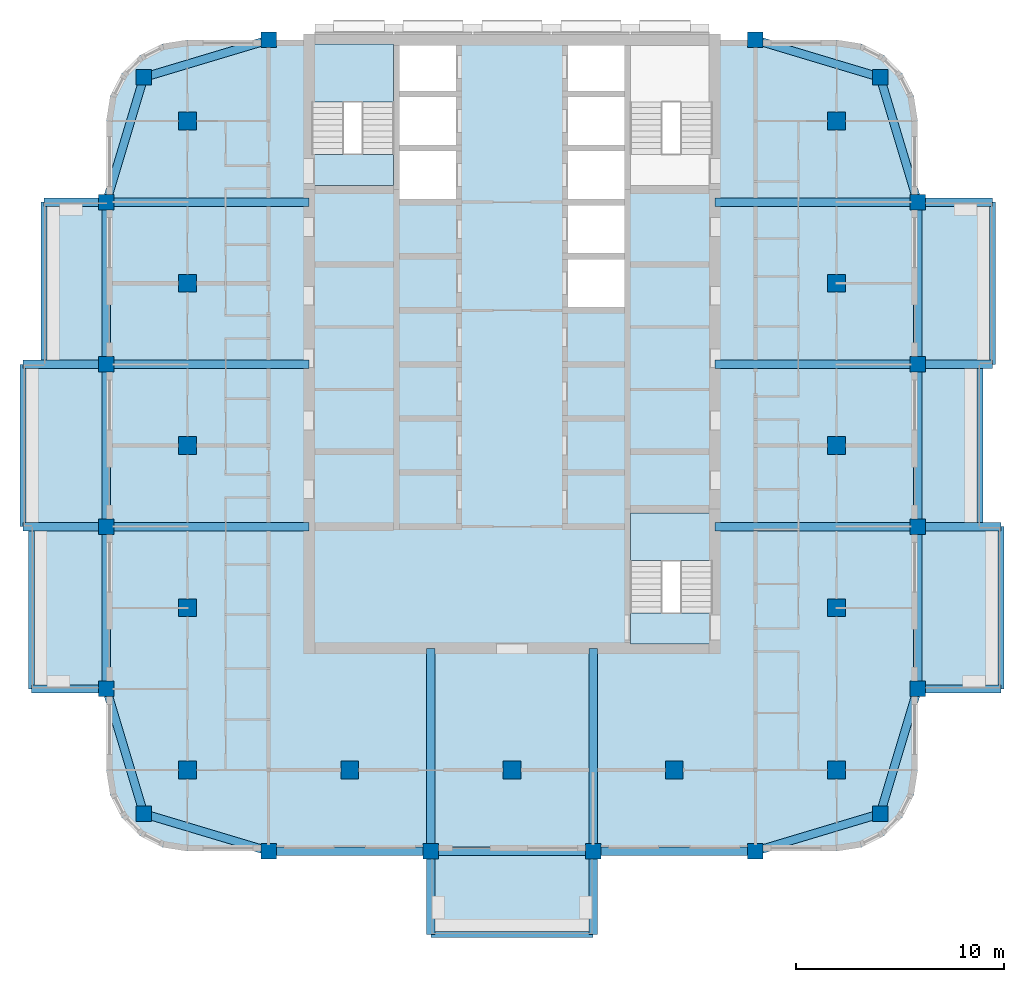
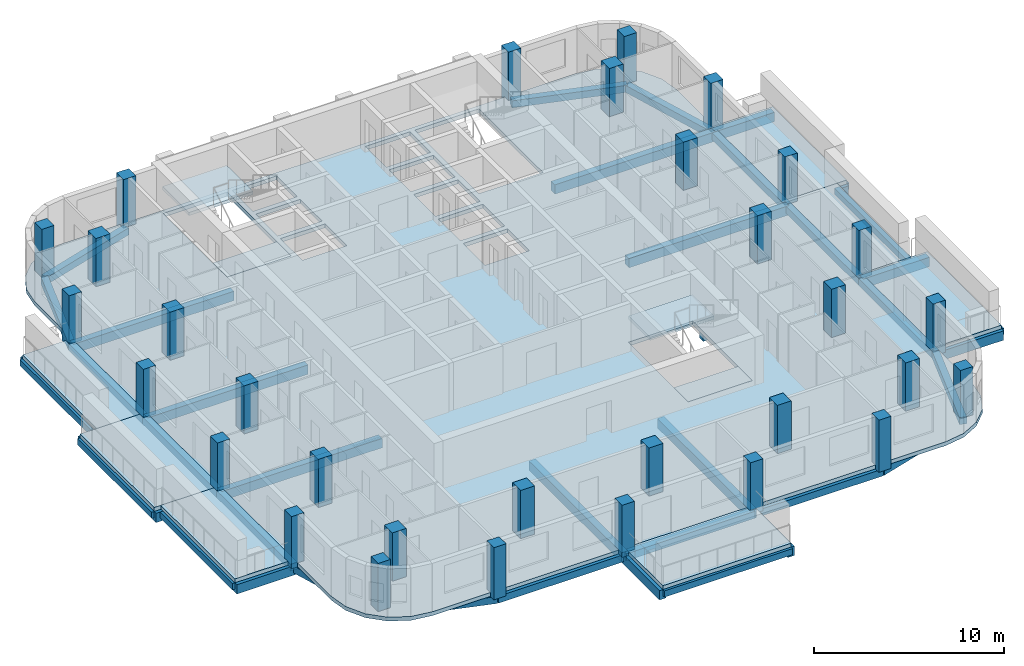
# One storey, part 1 of 13: 42 beams, 31 columns, 12 slabs, 2 elements without a shape of their own.
"""IFC4 building model written with IfcOpenShell, lengths in metres."""

from ifc_helpers import new_model, si_unit, direction, frame, origin, origin_2d, place, context, subcontext, project, spatial, polyline, rectangle, outline, extrude, material, layer, layer_set, material_profile, profile_set, type_object, element, aggregate, save


model = new_model("IFC4")

# Units and contexts
model_context = context("Model", 3, precision=1e-05, world=origin(), true_north=direction((0.0, 1.0)))
body_context = subcontext(model_context, "Body", "Model", "MODEL_VIEW")
ifc_project = project(units=[si_unit("LENGTHUNIT", "METRE"), si_unit("AREAUNIT", "SQUARE_METRE"), si_unit("VOLUMEUNIT", "CUBIC_METRE"), si_unit("PLANEANGLEUNIT", "RADIAN"), si_unit("MASSUNIT", "GRAM", prefix="KILO")], contexts=[model_context])

# Site, building, storey
site_placement = place(None, origin())
site = spatial("IfcSite", under=ifc_project, at=site_placement, CompositionType="ELEMENT")
building_placement = place(site_placement, origin())
building = spatial("IfcBuilding", under=site, at=building_placement, Name="Ludao Terraces", CompositionType="ELEMENT")
storey_placement = place(building_placement, frame((0.0, 0.0, 169.0)))
storey = spatial("IfcBuildingStorey", under=building, at=storey_placement, Name="L46", CompositionType="ELEMENT", Elevation=169.0)

# Columns
ifc_material_1 = material(Name="Concrete C45", Category="concrete")
ifc_material_profile_1 = material_profile(ifc_material_1, rectangle(XDim=0.75, YDim=0.75, at=origin_2d()), Name="750 X 750")
ifc_profile_set_1 = profile_set([ifc_material_profile_1], Name="Concrete C45")
column_type_1 = type_object("IfcColumnType", Name="RC column 750x750 C45", PredefinedType="COLUMN", material=ifc_profile_set_1)
for number, where, z_axis, x_axis, name in (
    (1, (67.300048828125, 47.300048828125, -0.25), (0.0, 0.0, 1.0), (1.0, 0.0, 0.0), "Column L46 C0057x0057"),
    (2, (102.699951171875, 47.300048828125, -0.25), (0.0, 0.0, 1.0), (1.0, 0.0, 0.0), "Column L46 C0411x0057"),
    (3, (67.300048828125, 82.699951171875, -0.25), (0.0, 0.0, 1.0), (1.0, 0.0, 0.0), "Column L46 C0057x0411"),
    (4, (102.699951171875, 82.699951171875, -0.25), (0.0, 0.0, 1.0), (1.0, 0.0, 0.0), "Column L46 C0411x0411"),
    (5, (65.5, 53.300048828125, -0.25), (0.0, 0.0, 1.0), (1.0, 0.0, 0.0), "Column L46 W0039x0117"),
    (6, (104.5, 53.300048828125, -0.25), (0.0, 0.0, 1.0), (1.0, 0.0, 0.0), "Column L46 W0429x0117"),
    (7, (73.300048828125, 45.5, -0.25), (0.0, 0.0, 1.0), (1.0, 0.0, 0.0), "Column L46 W0117x0039"),
    (8, (73.300048828125, 84.5, -0.25), (0.0, 0.0, 1.0), (1.0, 0.0, 0.0), "Column L46 W0117x0429"),
    (9, (65.5, 61.10009765625, -0.25), (0.0, 0.0, 1.0), (1.0, 0.0, 0.0), "Column L46 W0039x0195"),
    (10, (104.5, 61.10009765625, -0.25), (0.0, 0.0, 1.0), (1.0, 0.0, 0.0), "Column L46 W0429x0195"),
    (11, (81.10009765625, 45.5, -0.25), (0.0, 0.0, 1.0), (1.0, 0.0, 0.0), "Column L46 W0195x0039"),
    (12, (65.5, 68.89990234375, -0.25), (0.0, 0.0, 1.0), (1.0, 0.0, 0.0), "Column L46 W0039x0273"),
    (13, (104.5, 68.89990234375, -0.25), (0.0, 0.0, 1.0), (1.0, 0.0, 0.0), "Column L46 W0429x0273"),
    (14, (88.89990234375, 45.5, -0.25), (0.0, 0.0, 1.0), (1.0, 0.0, 0.0), "Column L46 W0273x0039"),
    (15, (65.5, 76.699951171875, -0.25), (0.0, 0.0, 1.0), (1.0, 0.0, 0.0), "Column L46 W0039x0351"),
    (16, (104.5, 76.699951171875, -0.25), (0.0, 0.0, 1.0), (1.0, 0.0, 0.0), "Column L46 W0429x0351"),
    (17, (96.699951171875, 45.5, -0.25), (0.0, 0.0, 1.0), (1.0, 0.0, 0.0), "Column L46 W0351x0039"),
    (18, (96.699951171875, 84.5, -0.25), (0.0, 0.0, 1.0), (1.0, 0.0, 0.0), "Column L46 W0351x0429"),
):
    element("IfcColumn", number, at=place(storey_placement, frame(where, z_axis=z_axis, x_axis=x_axis)), inside=storey, type_object=column_type_1, Name=name, PredefinedType="COLUMN", context=body_context, shape_type="SweptSolid", body=[
        extrude(rectangle(XDim=0.75, YDim=0.75, at=origin_2d()), origin(), (0.0, 0.0, 1.0), 3.35009765625),
    ])
ifc_material_profile_2 = material_profile(ifc_material_1, rectangle(XDim=0.85009765625, YDim=0.85009765625, at=origin_2d()), Name="850 X 850")
ifc_profile_set_2 = profile_set([ifc_material_profile_2], Name="Concrete C45")
column_type_2 = type_object("IfcColumnType", Name="RC column 850x850 C45", PredefinedType="COLUMN", material=ifc_profile_set_2)
for number, where, z_axis, x_axis, name in (
    (19, (69.39990234375, 49.39990234375, -0.25), (0.0, 0.0, 1.0), (1.0, 0.0, 0.0), "Column L46 S0078x0078"),
    (20, (69.39990234375, 57.199951171875, -0.25), (0.0, 0.0, 1.0), (1.0, 0.0, 0.0), "Column L46 S0078x0156"),
    (21, (69.39990234375, 65.0, -0.25), (0.0, 0.0, 1.0), (1.0, 0.0, 0.0), "Column L46 S0078x0234"),
    (22, (69.39990234375, 72.800048828125, -0.25), (0.0, 0.0, 1.0), (1.0, 0.0, 0.0), "Column L46 S0078x0312"),
    (23, (69.39990234375, 80.60009765625, -0.25), (0.0, 0.0, 1.0), (1.0, 0.0, 0.0), "Column L46 S0078x0390"),
    (24, (77.199951171875, 49.39990234375, -0.25), (0.0, 0.0, 1.0), (1.0, 0.0, 0.0), "Column L46 S0156x0078"),
    (25, (85.0, 49.39990234375, -0.25), (0.0, 0.0, 1.0), (1.0, 0.0, 0.0), "Column L46 S0234x0078"),
    (26, (92.800048828125, 49.39990234375, -0.25), (0.0, 0.0, 1.0), (1.0, 0.0, 0.0), "Column L46 S0312x0078"),
    (27, (100.60009765625, 49.39990234375, -0.25), (0.0, 0.0, 1.0), (1.0, 0.0, 0.0), "Column L46 S0390x0078"),
    (28, (100.60009765625, 57.199951171875, -0.25), (0.0, 0.0, 1.0), (1.0, 0.0, 0.0), "Column L46 S0390x0156"),
    (29, (100.60009765625, 65.0, -0.25), (0.0, 0.0, 1.0), (1.0, 0.0, 0.0), "Column L46 S0390x0234"),
    (30, (100.60009765625, 72.800048828125, -0.25), (0.0, 0.0, 1.0), (1.0, 0.0, 0.0), "Column L46 S0390x0312"),
    (31, (100.60009765625, 80.60009765625, -0.25), (0.0, 0.0, 1.0), (1.0, 0.0, 0.0), "Column L46 S0390x0390"),
):
    element("IfcColumn", number, at=place(storey_placement, frame(where, z_axis=z_axis, x_axis=x_axis)), inside=storey, type_object=column_type_2, Name=name, PredefinedType="COLUMN", context=body_context, shape_type="SweptSolid", body=[
        extrude(rectangle(XDim=0.85009765625, YDim=0.85009765625, at=origin_2d()), origin(), (0.0, 0.0, 1.0), 3.35009765625),
    ])

# Beams
ifc_material_2 = material(Name="Concrete C40", Category="concrete")
ifc_material_profile_3 = material_profile(ifc_material_2, rectangle(XDim=0.300048828125, YDim=0.39990234375, at=origin_2d()), Name="300 X 400")
ifc_profile_set_3 = profile_set([ifc_material_profile_3], Name="Concrete C40")
beam_type_1 = type_object("IfcBeamType", Name="RC beam 300x400 C40", PredefinedType="BEAM", material=ifc_profile_set_3)
beam_1_placement = place(storey_placement, frame((81.10009765625, 41.5, -0.449951171875), z_axis=(1.0, 0.0, 0.0), x_axis=(0.0, 1.0, 0.0)))
element("IfcBeam", 32, at=beam_1_placement, inside=storey, type_object=beam_type_1, Name="Balcony edge beam L46 S1", PredefinedType="BEAM", context=body_context, shape_type="SweptSolid", body=[
    extrude(rectangle(XDim=0.300048828125, YDim=0.39990234375, at=origin_2d()), origin(), (0.0, 0.0, 1.0), 7.7998046875),
])
beam_2_placement = place(storey_placement, frame((108.5, 53.300048828125, -0.449951171875), z_axis=(0.0, 1.0, 0.0), x_axis=(-1.0, 0.0, 0.0)))
element("IfcBeam", 33, at=beam_2_placement, inside=storey, type_object=beam_type_1, Name="Balcony edge beam L46 E1", PredefinedType="BEAM", context=body_context, shape_type="SweptSolid", body=[
    extrude(rectangle(XDim=0.300048828125, YDim=0.39990234375, at=origin_2d()), origin(), (0.0, 0.0, 1.0), 7.800048828125),
])
beam_3_placement = place(storey_placement, frame((107.5, 61.10009765625, -0.449951171875), z_axis=(0.0, 1.0, 0.0), x_axis=(-1.0, 0.0, 0.0)))
element("IfcBeam", 34, at=beam_3_placement, inside=storey, type_object=beam_type_1, Name="Balcony edge beam L46 E2", PredefinedType="BEAM", context=body_context, shape_type="SweptSolid", body=[
    extrude(rectangle(XDim=0.300048828125, YDim=0.39990234375, at=origin_2d()), origin(), (0.0, 0.0, 1.0), 7.7998046875),
])
for number, where, z_axis, x_axis, name in (
    (35, (108.10009765625, 68.89990234375, -0.449951171875), (0.0, 1.0, 0.0), (-1.0, 0.0, 0.0), "Balcony edge beam L46 E3"),
    (36, (61.89990234375, 53.300048828125, -0.449951171875), (0.0, 1.0, 0.0), (-1.0, 0.0, 0.0), "Balcony edge beam L46 W1"),
):
    element("IfcBeam", number, at=place(storey_placement, frame(where, z_axis=z_axis, x_axis=x_axis)), inside=storey, type_object=beam_type_1, Name=name, PredefinedType="BEAM", context=body_context, shape_type="SweptSolid", body=[
        extrude(rectangle(XDim=0.300048828125, YDim=0.39990234375, at=origin_2d()), origin(), (0.0, 0.0, 1.0), 7.800048828125),
    ])
beam_4_placement = place(storey_placement, frame((61.5, 61.10009765625, -0.449951171875), z_axis=(0.0, 1.0, 0.0), x_axis=(-1.0, 0.0, 0.0)))
element("IfcBeam", 37, at=beam_4_placement, inside=storey, type_object=beam_type_1, Name="Balcony edge beam L46 W2", PredefinedType="BEAM", context=body_context, shape_type="SweptSolid", body=[
    extrude(rectangle(XDim=0.300048828125, YDim=0.39990234375, at=origin_2d()), origin(), (0.0, 0.0, 1.0), 7.7998046875),
])
beam_5_placement = place(storey_placement, frame((62.5, 68.89990234375, -0.449951171875), z_axis=(0.0, 1.0, 0.0), x_axis=(-1.0, 0.0, 0.0)))
element("IfcBeam", 38, at=beam_5_placement, inside=storey, type_object=beam_type_1, Name="Balcony edge beam L46 W3", PredefinedType="BEAM", context=body_context, shape_type="SweptSolid", body=[
    extrude(rectangle(XDim=0.300048828125, YDim=0.39990234375, at=origin_2d()), origin(), (0.0, 0.0, 1.0), 7.800048828125),
])
ifc_material_profile_4 = material_profile(ifc_material_2, rectangle(XDim=0.39990234375, YDim=0.449951171875, at=origin_2d()), Name="400 X 450")
ifc_profile_set_4 = profile_set([ifc_material_profile_4], Name="Concrete C40")
beam_type_2 = type_object("IfcBeamType", Name="RC beam 400x450 C40", PredefinedType="BEAM", material=ifc_profile_set_4)
beam_6_placement = place(storey_placement, frame((67.300048828125, 47.300048828125, -0.47509765625), z_axis=(0.957824139839, -0.287355036744, 0.0), x_axis=(0.287355036744, 0.957824139839, 0.0)))
element("IfcBeam", 39, at=beam_6_placement, inside=storey, type_object=beam_type_2, Name="Spandrel beam L46 S1", PredefinedType="BEAM", context=body_context, shape_type="SweptSolid", body=[
    extrude(rectangle(XDim=0.39990234375, YDim=0.449951171875, at=origin_2d()), origin(), (0.0, 0.0, 1.0), 6.26416015625),
])
beam_7_placement = place(storey_placement, frame((73.300048828125, 45.5, -0.47509765625), z_axis=(1.0, 0.0, 0.0), x_axis=(0.0, 1.0, 0.0)))
element("IfcBeam", 40, at=beam_7_placement, inside=storey, type_object=beam_type_2, Name="Spandrel beam L46 S2", PredefinedType="BEAM", context=body_context, shape_type="SweptSolid", body=[
    extrude(rectangle(XDim=0.39990234375, YDim=0.449951171875, at=origin_2d()), origin(), (0.0, 0.0, 1.0), 7.800048828125),
])
beam_8_placement = place(storey_placement, frame((81.10009765625, 45.5, -0.47509765625), z_axis=(1.0, 0.0, 0.0), x_axis=(0.0, 1.0, 0.0)))
element("IfcBeam", 41, at=beam_8_placement, inside=storey, type_object=beam_type_2, Name="Spandrel beam L46 S3", PredefinedType="BEAM", context=body_context, shape_type="SweptSolid", body=[
    extrude(rectangle(XDim=0.39990234375, YDim=0.449951171875, at=origin_2d()), origin(), (0.0, 0.0, 1.0), 7.7998046875),
])
beam_9_placement = place(storey_placement, frame((88.89990234375, 45.5, -0.47509765625), z_axis=(1.0, 0.0, 0.0), x_axis=(0.0, 1.0, 0.0)))
element("IfcBeam", 42, at=beam_9_placement, inside=storey, type_object=beam_type_2, Name="Spandrel beam L46 S4", PredefinedType="BEAM", context=body_context, shape_type="SweptSolid", body=[
    extrude(rectangle(XDim=0.39990234375, YDim=0.449951171875, at=origin_2d()), origin(), (0.0, 0.0, 1.0), 7.800048828125),
])
for number, where, z_axis, x_axis, name in (
    (43, (96.699951171875, 45.5, -0.47509765625), (0.957824139839, 0.287355036744, 0.0), (-0.287355036744, 0.957824139839, 0.0), "Spandrel beam L46 S5"),
    (44, (67.300048828125, 82.699951171875, -0.47509765625), (0.957824139839, 0.287355036744, 0.0), (-0.287355036744, 0.957824139839, 0.0), "Spandrel beam L46 N6"),
    (45, (96.699951171875, 84.5, -0.47509765625), (0.957824139839, -0.287355036744, 0.0), (0.287355036744, 0.957824139839, 0.0), "Spandrel beam L46 N7"),
    (46, (67.300048828125, 47.300048828125, -0.47509765625), (-0.287355036744, 0.957824139839, 0.0), (-0.957824139839, -0.287355036744, 0.0), "Spandrel beam L46 W8"),
):
    element("IfcBeam", number, at=place(storey_placement, frame(where, z_axis=z_axis, x_axis=x_axis)), inside=storey, type_object=beam_type_2, Name=name, PredefinedType="BEAM", context=body_context, shape_type="SweptSolid", body=[
        extrude(rectangle(XDim=0.39990234375, YDim=0.449951171875, at=origin_2d()), origin(), (0.0, 0.0, 1.0), 6.26416015625),
    ])
beam_10_placement = place(storey_placement, frame((65.5, 53.300048828125, -0.47509765625), z_axis=(0.0, 1.0, 0.0), x_axis=(-1.0, 0.0, 0.0)))
element("IfcBeam", 47, at=beam_10_placement, inside=storey, type_object=beam_type_2, Name="Spandrel beam L46 W9", PredefinedType="BEAM", context=body_context, shape_type="SweptSolid", body=[
    extrude(rectangle(XDim=0.39990234375, YDim=0.449951171875, at=origin_2d()), origin(), (0.0, 0.0, 1.0), 7.800048828125),
])
beam_11_placement = place(storey_placement, frame((65.5, 61.10009765625, -0.47509765625), z_axis=(0.0, 1.0, 0.0), x_axis=(-1.0, 0.0, 0.0)))
element("IfcBeam", 48, at=beam_11_placement, inside=storey, type_object=beam_type_2, Name="Spandrel beam L46 W10", PredefinedType="BEAM", context=body_context, shape_type="SweptSolid", body=[
    extrude(rectangle(XDim=0.39990234375, YDim=0.449951171875, at=origin_2d()), origin(), (0.0, 0.0, 1.0), 7.7998046875),
])
beam_12_placement = place(storey_placement, frame((65.5, 68.89990234375, -0.47509765625), z_axis=(0.0, 1.0, 0.0), x_axis=(-1.0, 0.0, 0.0)))
element("IfcBeam", 49, at=beam_12_placement, inside=storey, type_object=beam_type_2, Name="Spandrel beam L46 W11", PredefinedType="BEAM", context=body_context, shape_type="SweptSolid", body=[
    extrude(rectangle(XDim=0.39990234375, YDim=0.449951171875, at=origin_2d()), origin(), (0.0, 0.0, 1.0), 7.800048828125),
])
for number, where, z_axis, x_axis, name in (
    (50, (65.5, 76.699951171875, -0.47509765625), (0.287355036744, 0.957824139839, 0.0), (-0.957824139839, 0.287355036744, 0.0), "Spandrel beam L46 W12"),
    (51, (102.699951171875, 47.300048828125, -0.47509765625), (0.287355036744, 0.957824139839, 0.0), (-0.957824139839, 0.287355036744, 0.0), "Spandrel beam L46 E13"),
):
    element("IfcBeam", number, at=place(storey_placement, frame(where, z_axis=z_axis, x_axis=x_axis)), inside=storey, type_object=beam_type_2, Name=name, PredefinedType="BEAM", context=body_context, shape_type="SweptSolid", body=[
        extrude(rectangle(XDim=0.39990234375, YDim=0.449951171875, at=origin_2d()), origin(), (0.0, 0.0, 1.0), 6.26416015625),
    ])
beam_13_placement = place(storey_placement, frame((104.5, 53.300048828125, -0.47509765625), z_axis=(0.0, 1.0, 0.0), x_axis=(-1.0, 0.0, 0.0)))
element("IfcBeam", 52, at=beam_13_placement, inside=storey, type_object=beam_type_2, Name="Spandrel beam L46 E14", PredefinedType="BEAM", context=body_context, shape_type="SweptSolid", body=[
    extrude(rectangle(XDim=0.39990234375, YDim=0.449951171875, at=origin_2d()), origin(), (0.0, 0.0, 1.0), 7.800048828125),
])
beam_14_placement = place(storey_placement, frame((104.5, 61.10009765625, -0.47509765625), z_axis=(0.0, 1.0, 0.0), x_axis=(-1.0, 0.0, 0.0)))
element("IfcBeam", 53, at=beam_14_placement, inside=storey, type_object=beam_type_2, Name="Spandrel beam L46 E15", PredefinedType="BEAM", context=body_context, shape_type="SweptSolid", body=[
    extrude(rectangle(XDim=0.39990234375, YDim=0.449951171875, at=origin_2d()), origin(), (0.0, 0.0, 1.0), 7.7998046875),
])
beam_15_placement = place(storey_placement, frame((104.5, 68.89990234375, -0.47509765625), z_axis=(0.0, 1.0, 0.0), x_axis=(-1.0, 0.0, 0.0)))
element("IfcBeam", 54, at=beam_15_placement, inside=storey, type_object=beam_type_2, Name="Spandrel beam L46 E16", PredefinedType="BEAM", context=body_context, shape_type="SweptSolid", body=[
    extrude(rectangle(XDim=0.39990234375, YDim=0.449951171875, at=origin_2d()), origin(), (0.0, 0.0, 1.0), 7.800048828125),
])
beam_16_placement = place(storey_placement, frame((104.5, 76.699951171875, -0.47509765625), z_axis=(-0.287355036744, 0.957824139839, 0.0), x_axis=(-0.957824139839, -0.287355036744, 0.0)))
element("IfcBeam", 55, at=beam_16_placement, inside=storey, type_object=beam_type_2, Name="Spandrel beam L46 E17", PredefinedType="BEAM", context=body_context, shape_type="SweptSolid", body=[
    extrude(rectangle(XDim=0.39990234375, YDim=0.449951171875, at=origin_2d()), origin(), (0.0, 0.0, 1.0), 6.26416015625),
])
ifc_material_profile_5 = material_profile(ifc_material_2, rectangle(XDim=0.39990234375, YDim=0.60009765625, at=origin_2d()), Name="400 X 600")
ifc_profile_set_5 = profile_set([ifc_material_profile_5], Name="Concrete C40")
beam_type_3 = type_object("IfcBeamType", Name="RC beam 400x600 C40", PredefinedType="BEAM", material=ifc_profile_set_5)
beam_17_placement = place(storey_placement, frame((104.5, 53.300048828125, -0.550048828125), z_axis=(1.0, 0.0, 0.0), x_axis=(0.0, 1.0, 0.0)))
element("IfcBeam", 56, at=beam_17_placement, inside=storey, type_object=beam_type_3, Name="Balcony beam L46 E533", PredefinedType="BEAM", context=body_context, shape_type="SweptSolid", body=[
    extrude(rectangle(XDim=0.39990234375, YDim=0.60009765625, at=origin_2d()), origin(), (0.0, 0.0, 1.0), 4.0),
])
beam_18_placement = place(storey_placement, frame((94.75, 61.10009765625, -0.550048828125), z_axis=(1.0, 0.0, 0.0), x_axis=(0.0, 1.0, 0.0)))
element("IfcBeam", 57, at=beam_18_placement, inside=storey, type_object=beam_type_3, Name="Balcony beam L46 E611", PredefinedType="BEAM", context=body_context, shape_type="SweptSolid", body=[
    extrude(rectangle(XDim=0.39990234375, YDim=0.60009765625, at=origin_2d()), origin(), (0.0, 0.0, 1.0), 9.75),
])
beam_19_placement = place(storey_placement, frame((104.5, 61.10009765625, -0.550048828125), z_axis=(1.0, 0.0, 0.0), x_axis=(0.0, 1.0, 0.0)))
element("IfcBeam", 58, at=beam_19_placement, inside=storey, type_object=beam_type_3, Name="Balcony beam L46 E611", PredefinedType="BEAM", context=body_context, shape_type="SweptSolid", body=[
    extrude(rectangle(XDim=0.39990234375, YDim=0.60009765625, at=origin_2d()), origin(), (0.0, 0.0, 1.0), 4.0),
])
beam_20_placement = place(storey_placement, frame((94.75, 68.89990234375, -0.550048828125), z_axis=(1.0, 0.0, 0.0), x_axis=(0.0, 1.0, 0.0)))
element("IfcBeam", 59, at=beam_20_placement, inside=storey, type_object=beam_type_3, Name="Balcony beam L46 E689", PredefinedType="BEAM", context=body_context, shape_type="SweptSolid", body=[
    extrude(rectangle(XDim=0.39990234375, YDim=0.60009765625, at=origin_2d()), origin(), (0.0, 0.0, 1.0), 9.75),
])
beam_21_placement = place(storey_placement, frame((104.5, 68.89990234375, -0.550048828125), z_axis=(1.0, 0.0, 0.0), x_axis=(0.0, 1.0, 0.0)))
element("IfcBeam", 60, at=beam_21_placement, inside=storey, type_object=beam_type_3, Name="Balcony beam L46 E689", PredefinedType="BEAM", context=body_context, shape_type="SweptSolid", body=[
    extrude(rectangle(XDim=0.39990234375, YDim=0.60009765625, at=origin_2d()), origin(), (0.0, 0.0, 1.0), 3.60009765625),
])
beam_22_placement = place(storey_placement, frame((94.75, 76.699951171875, -0.550048828125), z_axis=(1.0, 0.0, 0.0), x_axis=(0.0, 1.0, 0.0)))
element("IfcBeam", 61, at=beam_22_placement, inside=storey, type_object=beam_type_3, Name="Balcony beam L46 E767", PredefinedType="BEAM", context=body_context, shape_type="SweptSolid", body=[
    extrude(rectangle(XDim=0.39990234375, YDim=0.60009765625, at=origin_2d()), origin(), (0.0, 0.0, 1.0), 9.75),
])
beam_23_placement = place(storey_placement, frame((104.5, 76.699951171875, -0.550048828125), z_axis=(1.0, 0.0, 0.0), x_axis=(0.0, 1.0, 0.0)))
element("IfcBeam", 62, at=beam_23_placement, inside=storey, type_object=beam_type_3, Name="Balcony beam L46 E767", PredefinedType="BEAM", context=body_context, shape_type="SweptSolid", body=[
    extrude(rectangle(XDim=0.39990234375, YDim=0.60009765625, at=origin_2d()), origin(), (0.0, 0.0, 1.0), 3.60009765625),
])
beam_24_placement = place(storey_placement, frame((81.10009765625, 55.25, -0.550048828125), z_axis=(0.0, -1.0, 0.0), x_axis=(1.0, 0.0, 0.0)))
element("IfcBeam", 63, at=beam_24_placement, inside=storey, type_object=beam_type_3, Name="Balcony beam L46 S811", PredefinedType="BEAM", context=body_context, shape_type="SweptSolid", body=[
    extrude(rectangle(XDim=0.39990234375, YDim=0.60009765625, at=origin_2d()), origin(), (0.0, 0.0, 1.0), 9.75),
])
beam_25_placement = place(storey_placement, frame((81.10009765625, 45.5, -0.550048828125), z_axis=(0.0, -1.0, 0.0), x_axis=(1.0, 0.0, 0.0)))
element("IfcBeam", 64, at=beam_25_placement, inside=storey, type_object=beam_type_3, Name="Balcony beam L46 S811", PredefinedType="BEAM", context=body_context, shape_type="SweptSolid", body=[
    extrude(rectangle(XDim=0.39990234375, YDim=0.60009765625, at=origin_2d()), origin(), (0.0, 0.0, 1.0), 4.0),
])
beam_26_placement = place(storey_placement, frame((88.89990234375, 55.25, -0.550048828125), z_axis=(0.0, -1.0, 0.0), x_axis=(1.0, 0.0, 0.0)))
element("IfcBeam", 65, at=beam_26_placement, inside=storey, type_object=beam_type_3, Name="Balcony beam L46 S889", PredefinedType="BEAM", context=body_context, shape_type="SweptSolid", body=[
    extrude(rectangle(XDim=0.39990234375, YDim=0.60009765625, at=origin_2d()), origin(), (0.0, 0.0, 1.0), 9.75),
])
beam_27_placement = place(storey_placement, frame((88.89990234375, 45.5, -0.550048828125), z_axis=(0.0, -1.0, 0.0), x_axis=(1.0, 0.0, 0.0)))
element("IfcBeam", 66, at=beam_27_placement, inside=storey, type_object=beam_type_3, Name="Balcony beam L46 S889", PredefinedType="BEAM", context=body_context, shape_type="SweptSolid", body=[
    extrude(rectangle(XDim=0.39990234375, YDim=0.60009765625, at=origin_2d()), origin(), (0.0, 0.0, 1.0), 4.0),
])
beam_28_placement = place(storey_placement, frame((65.5, 53.300048828125, -0.550048828125), z_axis=(-1.0, 0.0, 0.0), x_axis=(0.0, -1.0, 0.0)))
element("IfcBeam", 67, at=beam_28_placement, inside=storey, type_object=beam_type_3, Name="Balcony beam L46 W533", PredefinedType="BEAM", context=body_context, shape_type="SweptSolid", body=[
    extrude(rectangle(XDim=0.39990234375, YDim=0.60009765625, at=origin_2d()), origin(), (0.0, 0.0, 1.0), 3.60009765625),
])
beam_29_placement = place(storey_placement, frame((75.25, 61.10009765625, -0.550048828125), z_axis=(-1.0, 0.0, 0.0), x_axis=(0.0, -1.0, 0.0)))
element("IfcBeam", 68, at=beam_29_placement, inside=storey, type_object=beam_type_3, Name="Balcony beam L46 W611", PredefinedType="BEAM", context=body_context, shape_type="SweptSolid", body=[
    extrude(rectangle(XDim=0.39990234375, YDim=0.60009765625, at=origin_2d()), origin(), (0.0, 0.0, 1.0), 9.75),
])
beam_30_placement = place(storey_placement, frame((65.5, 61.10009765625, -0.550048828125), z_axis=(-1.0, 0.0, 0.0), x_axis=(0.0, -1.0, 0.0)))
element("IfcBeam", 69, at=beam_30_placement, inside=storey, type_object=beam_type_3, Name="Balcony beam L46 W611", PredefinedType="BEAM", context=body_context, shape_type="SweptSolid", body=[
    extrude(rectangle(XDim=0.39990234375, YDim=0.60009765625, at=origin_2d()), origin(), (0.0, 0.0, 1.0), 4.0),
])
beam_31_placement = place(storey_placement, frame((75.25, 68.89990234375, -0.550048828125), z_axis=(-1.0, 0.0, 0.0), x_axis=(0.0, -1.0, 0.0)))
element("IfcBeam", 70, at=beam_31_placement, inside=storey, type_object=beam_type_3, Name="Balcony beam L46 W689", PredefinedType="BEAM", context=body_context, shape_type="SweptSolid", body=[
    extrude(rectangle(XDim=0.39990234375, YDim=0.60009765625, at=origin_2d()), origin(), (0.0, 0.0, 1.0), 9.75),
])
beam_32_placement = place(storey_placement, frame((65.5, 68.89990234375, -0.550048828125), z_axis=(-1.0, 0.0, 0.0), x_axis=(0.0, -1.0, 0.0)))
element("IfcBeam", 71, at=beam_32_placement, inside=storey, type_object=beam_type_3, Name="Balcony beam L46 W689", PredefinedType="BEAM", context=body_context, shape_type="SweptSolid", body=[
    extrude(rectangle(XDim=0.39990234375, YDim=0.60009765625, at=origin_2d()), origin(), (0.0, 0.0, 1.0), 4.0),
])
beam_33_placement = place(storey_placement, frame((75.25, 76.699951171875, -0.550048828125), z_axis=(-1.0, 0.0, 0.0), x_axis=(0.0, -1.0, 0.0)))
element("IfcBeam", 72, at=beam_33_placement, inside=storey, type_object=beam_type_3, Name="Balcony beam L46 W767", PredefinedType="BEAM", context=body_context, shape_type="SweptSolid", body=[
    extrude(rectangle(XDim=0.39990234375, YDim=0.60009765625, at=origin_2d()), origin(), (0.0, 0.0, 1.0), 9.75),
])
beam_34_placement = place(storey_placement, frame((65.5, 76.699951171875, -0.550048828125), z_axis=(-1.0, 0.0, 0.0), x_axis=(0.0, -1.0, 0.0)))
element("IfcBeam", 73, at=beam_34_placement, inside=storey, type_object=beam_type_3, Name="Balcony beam L46 W767", PredefinedType="BEAM", context=body_context, shape_type="SweptSolid", body=[
    extrude(rectangle(XDim=0.39990234375, YDim=0.60009765625, at=origin_2d()), origin(), (0.0, 0.0, 1.0), 3.0),
])

# Slabs
ifc_layer_1 = layer(ifc_material_2, 0.25)
ifc_layer_set_1 = layer_set([ifc_layer_1], Name="Balcony slab 250 C40")
slab_type_1 = type_object("IfcSlabType", Name="Balcony slab 250 C40", PredefinedType="USERDEFINED", material=ifc_layer_set_1)
slab_1_placement = place(storey_placement, frame((0.0, 0.0, -0.25)))
element("IfcSlab", 74, at=slab_1_placement, inside=storey, type_object=slab_type_1, Name="Balcony L46 S1", ObjectType="BALCONY", PredefinedType="USERDEFINED", context=body_context, shape_type="SweptSolid", body=[
    extrude(outline(polyline([(81.10009765625, 41.5), (88.89990234375, 41.5), (88.89990234375, 45.5), (81.10009765625, 45.5), (81.10009765625, 41.5)])), origin(), (0.0, 0.0, 1.0), 0.25),
])
slab_2_placement = place(storey_placement, frame((0.0, 0.0, -0.25)))
element("IfcSlab", 75, at=slab_2_placement, inside=storey, type_object=slab_type_1, Name="Balcony L46 E1", ObjectType="BALCONY", PredefinedType="USERDEFINED", context=body_context, shape_type="SweptSolid", body=[
    extrude(outline(polyline([(104.5, 53.300048828125), (108.5, 53.300048828125), (108.5, 61.10009765625), (104.5, 61.10009765625), (104.5, 53.300048828125)])), origin(), (0.0, 0.0, 1.0), 0.25),
])
slab_3_placement = place(storey_placement, frame((0.0, 0.0, -0.25)))
element("IfcSlab", 76, at=slab_3_placement, inside=storey, type_object=slab_type_1, Name="Balcony L46 E2", ObjectType="BALCONY", PredefinedType="USERDEFINED", context=body_context, shape_type="SweptSolid", body=[
    extrude(outline(polyline([(104.5, 61.10009765625), (107.5, 61.10009765625), (107.5, 68.89990234375), (104.5, 68.89990234375), (104.5, 61.10009765625)])), origin(), (0.0, 0.0, 1.0), 0.25),
])
slab_4_placement = place(storey_placement, frame((0.0, 0.0, -0.25)))
element("IfcSlab", 77, at=slab_4_placement, inside=storey, type_object=slab_type_1, Name="Balcony L46 E3", ObjectType="BALCONY", PredefinedType="USERDEFINED", context=body_context, shape_type="SweptSolid", body=[
    extrude(outline(polyline([(104.5, 68.89990234375), (108.10009765625, 68.89990234375), (108.10009765625, 76.699951171875), (104.5, 76.699951171875), (104.5, 68.89990234375)])), origin(), (0.0, 0.0, 1.0), 0.25),
])
slab_5_placement = place(storey_placement, frame((0.0, 0.0, -0.25)))
element("IfcSlab", 78, at=slab_5_placement, inside=storey, type_object=slab_type_1, Name="Balcony L46 W1", ObjectType="BALCONY", PredefinedType="USERDEFINED", context=body_context, shape_type="SweptSolid", body=[
    extrude(outline(polyline([(61.89990234375, 53.300048828125), (65.5, 53.300048828125), (65.5, 61.10009765625), (61.89990234375, 61.10009765625), (61.89990234375, 53.300048828125)])), origin(), (0.0, 0.0, 1.0), 0.25),
])
slab_6_placement = place(storey_placement, frame((0.0, 0.0, -0.25)))
element("IfcSlab", 79, at=slab_6_placement, inside=storey, type_object=slab_type_1, Name="Balcony L46 W2", ObjectType="BALCONY", PredefinedType="USERDEFINED", context=body_context, shape_type="SweptSolid", body=[
    extrude(outline(polyline([(61.5, 61.10009765625), (65.5, 61.10009765625), (65.5, 68.89990234375), (61.5, 68.89990234375), (61.5, 61.10009765625)])), origin(), (0.0, 0.0, 1.0), 0.25),
])
slab_7_placement = place(storey_placement, frame((0.0, 0.0, -0.25)))
element("IfcSlab", 80, at=slab_7_placement, inside=storey, type_object=slab_type_1, Name="Balcony L46 W3", ObjectType="BALCONY", PredefinedType="USERDEFINED", context=body_context, shape_type="SweptSolid", body=[
    extrude(outline(polyline([(62.5, 68.89990234375), (65.5, 68.89990234375), (65.5, 76.699951171875), (62.5, 76.699951171875), (62.5, 68.89990234375)])), origin(), (0.0, 0.0, 1.0), 0.25),
])
ifc_layer_2 = layer(ifc_material_2, 0.25)
ifc_layer_set_2 = layer_set([ifc_layer_2], Name="Floor slab 250 C40")
slab_type_2 = type_object("IfcSlabType", Name="Floor slab 250 C40", PredefinedType="FLOOR", material=ifc_layer_set_2)
slab_8_placement = place(storey_placement, frame((0.0, 0.0, -0.25)))
element("IfcSlab", 81, at=slab_8_placement, inside=storey, type_object=slab_type_2, Name="Slab L46", PredefinedType="FLOOR", context=body_context, shape_type="SweptSolid", body=[
    extrude(outline(polyline([(100.60009765625, 45.5), (101.80517578125, 45.69091796875), (102.892333984375, 46.244873046875), (103.755126953125, 47.107666015625), (104.30908203125, 48.19482421875), (104.5, 49.39990234375), (104.5, 80.60009765625), (104.30908203125, 81.80517578125), (103.755126953125, 82.892333984375), (102.892333984375, 83.755126953125), (101.80517578125, 84.30908203125), (100.60009765625, 84.5), (69.39990234375, 84.5), (68.19482421875, 84.30908203125), (67.107666015625, 83.755126953125), (66.244873046875, 82.892333984375), (65.69091796875, 81.80517578125), (65.5, 80.60009765625), (65.5, 49.39990234375), (65.69091796875, 48.19482421875), (66.244873046875, 47.107666015625), (67.107666015625, 46.244873046875), (68.19482421875, 45.69091796875), (69.39990234375, 45.5), (100.60009765625, 45.5)]), holes=[polyline([(79.60009765625, 76.85009765625), (82.300048828125, 76.85009765625), (82.300048828125, 79.14990234375), (79.60009765625, 79.14990234375), (79.60009765625, 76.85009765625)]), polyline([(79.60009765625, 79.449951171875), (82.300048828125, 79.449951171875), (82.300048828125, 81.75), (79.60009765625, 81.75), (79.60009765625, 79.449951171875)]), polyline([(79.60009765625, 82.050048828125), (82.300048828125, 82.050048828125), (82.300048828125, 84.239990234375), (79.60009765625, 84.239990234375), (79.60009765625, 82.050048828125)]), polyline([(87.699951171875, 71.64990234375), (90.39990234375, 71.64990234375), (90.39990234375, 73.949951171875), (87.699951171875, 73.949951171875), (87.699951171875, 71.64990234375)]), polyline([(87.699951171875, 74.25), (90.39990234375, 74.25), (90.39990234375, 76.550048828125), (87.699951171875, 76.550048828125), (87.699951171875, 74.25)]), polyline([(87.699951171875, 76.85009765625), (90.39990234375, 76.85009765625), (90.39990234375, 79.14990234375), (87.699951171875, 79.14990234375), (87.699951171875, 76.85009765625)]), polyline([(87.699951171875, 79.449951171875), (90.39990234375, 79.449951171875), (90.39990234375, 81.75), (87.699951171875, 81.75), (87.699951171875, 79.449951171875)]), polyline([(87.699951171875, 82.050048828125), (90.39990234375, 82.050048828125), (90.39990234375, 84.239990234375), (87.699951171875, 84.239990234375), (87.699951171875, 82.050048828125)]), polyline([(75.39990234375, 77.5), (79.300048828125, 77.5), (79.300048828125, 84.239990234375), (75.39990234375, 84.239990234375), (75.39990234375, 77.5)]), polyline([(90.699951171875, 77.5), (94.60009765625, 77.5), (94.60009765625, 84.239990234375), (90.699951171875, 84.239990234375), (90.699951171875, 77.5)]), polyline([(90.699951171875, 55.449951171875), (94.60009765625, 55.449951171875), (94.60009765625, 61.75), (90.699951171875, 61.75), (90.699951171875, 55.449951171875)])]), origin(), (0.0, 0.0, 1.0), 0.25),
])

# Stair, slabs
stair_type = type_object("IfcStairType", Name="INT Stair", PredefinedType="HALF_TURN_STAIR", material=ifc_material_2)
stair_1_placement = place(storey_placement, origin())
stair_1 = element("IfcStair", 82, at=stair_1_placement, inside=storey, type_object=stair_type, Name="EXIT STAIR 1", PredefinedType="HALF_TURN_STAIR")
ifc_layer_3 = layer(ifc_material_2, 0.199951171875)
ifc_layer_set_3 = layer_set([ifc_layer_3], Name="INT Stair landing 200")
slab_type_3 = type_object("IfcSlabType", Name="INT Stair landing 200", PredefinedType="LANDING", material=ifc_layer_set_3)
slab_9_placement = place(storey_placement, frame((0.0, 0.0, 1.5)))
slab_9 = element("IfcSlab", 83, at=slab_9_placement, type_object=slab_type_3, Name="ST1 landing 1", PredefinedType="LANDING", context=body_context, shape_type="SweptSolid", body=[
    extrude(outline(polyline([(75.39990234375, 81.52001953125), (79.300048828125, 81.52001953125), (79.300048828125, 84.300048828125), (75.39990234375, 84.300048828125), (75.39990234375, 81.52001953125)])), origin(), (0.0, 0.0, 1.0), 0.199951171875),
])
slab_10_placement = place(storey_placement, frame((0.0, 0.0, -0.199951171875)))
slab_10 = element("IfcSlab", 84, at=slab_10_placement, type_object=slab_type_3, Name="ST1 landing 2", PredefinedType="LANDING", context=body_context, shape_type="SweptSolid", body=[
    extrude(outline(polyline([(75.39990234375, 77.5), (79.300048828125, 77.5), (79.300048828125, 79.0), (75.39990234375, 79.0), (75.39990234375, 77.5)])), origin(), (0.0, 0.0, 1.0), 0.199951171875),
])
aggregate(stair_1, [slab_9, slab_10])

stair_2_placement = place(storey_placement, origin())
stair_2 = element("IfcStair", 85, at=stair_2_placement, inside=storey, type_object=stair_type, Name="EXIT STAIR 3", PredefinedType="HALF_TURN_STAIR")
slab_11_placement = place(storey_placement, frame((0.0, 0.0, 1.5)))
slab_11 = element("IfcSlab", 86, at=slab_11_placement, type_object=slab_type_3, Name="ST3 landing 1", PredefinedType="LANDING", context=body_context, shape_type="SweptSolid", body=[
    extrude(outline(polyline([(90.699951171875, 59.469970703125), (94.60009765625, 59.469970703125), (94.60009765625, 61.75), (90.699951171875, 61.75), (90.699951171875, 59.469970703125)])), origin(), (0.0, 0.0, 1.0), 0.199951171875),
])
slab_12_placement = place(storey_placement, frame((0.0, 0.0, -0.199951171875)))
slab_12 = element("IfcSlab", 87, at=slab_12_placement, type_object=slab_type_3, Name="ST3 landing 2", PredefinedType="LANDING", context=body_context, shape_type="SweptSolid", body=[
    extrude(outline(polyline([(90.699951171875, 55.449951171875), (94.60009765625, 55.449951171875), (94.60009765625, 56.949951171875), (90.699951171875, 56.949951171875), (90.699951171875, 55.449951171875)])), origin(), (0.0, 0.0, 1.0), 0.199951171875),
])
aggregate(stair_2, [slab_11, slab_12])

save(model, "model.ifc")
